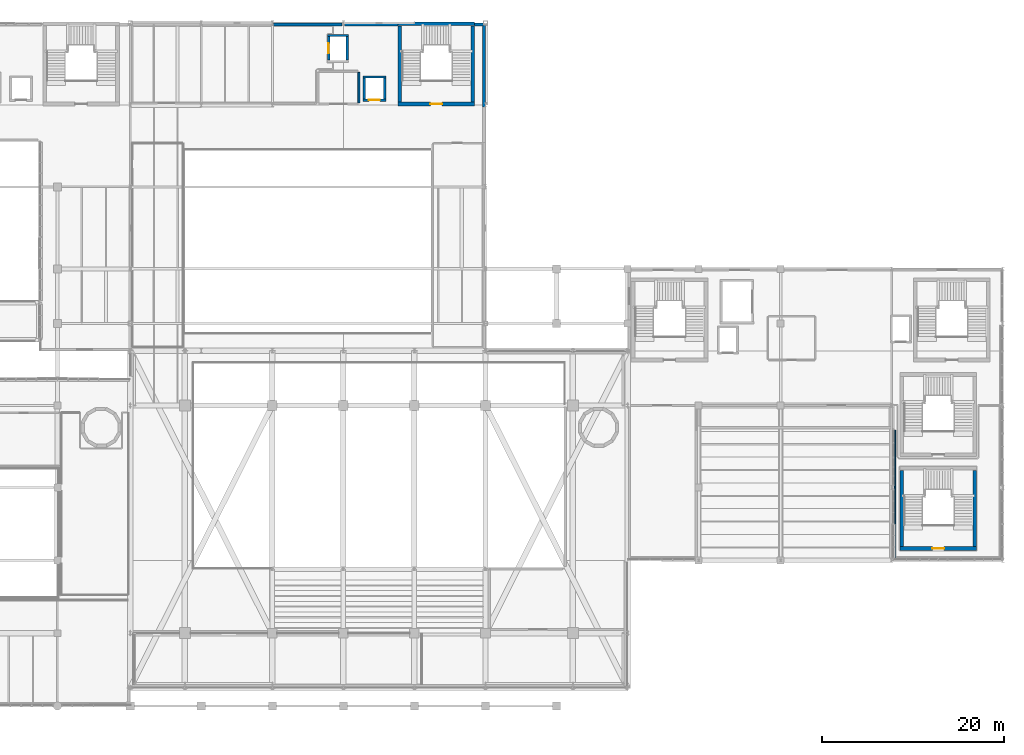
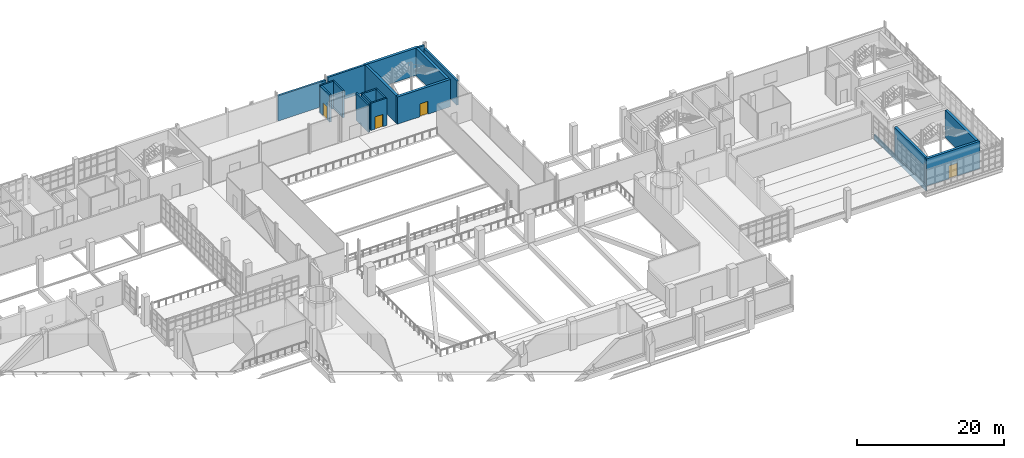
# One storey, part 91 of 100: 20 walls, 4 doors, 4 openings.
"""IFC4 building model written with IfcOpenShell, lengths in metres."""

from ifc_helpers import new_model, si_unit, derived_unit, direction, frame, frame_2d, origin, place, context, subcontext, project, spatial, rectangle, extrude, material, layer, layer_set, type_object, element, fill, save


model = new_model("IFC4")

# Units and contexts
model_context = context("Model", 3, precision=1e-05, world=origin(), true_north=direction((0.0, 1.0)))
body_context = subcontext(model_context, "Body", "Model", "MODEL_VIEW")
ifc_project = project(units=[si_unit("LENGTHUNIT", "METRE"), si_unit("AREAUNIT", "SQUARE_METRE"), si_unit("VOLUMEUNIT", "CUBIC_METRE"), si_unit("PLANEANGLEUNIT", "RADIAN"), si_unit("MASSUNIT", "GRAM", prefix="KILO"), derived_unit("THERMALTRANSMITTANCEUNIT", [(si_unit("POWERUNIT", "WATT"), 1), (si_unit("LENGTHUNIT", "METRE"), -2), (si_unit("THERMODYNAMICTEMPERATUREUNIT", "KELVIN"), -1)])], contexts=[model_context])

# Site, building, storey
site_placement = place(None, origin())
site = spatial("IfcSite", under=ifc_project, at=site_placement, CompositionType="ELEMENT")
building_placement = place(site_placement, origin())
building = spatial("IfcBuilding", under=site, at=building_placement, Name="Nallur Shell Playhouse", CompositionType="ELEMENT")
storey_placement = place(building_placement, frame((0.0, 0.0, 10.199951171875)))
storey = spatial("IfcBuildingStorey", under=building, at=storey_placement, Name="L03", CompositionType="ELEMENT", Elevation=10.199951171875)

# Wall, opening, door
ifc_material_1 = material(Name="Concrete M45", Category="concrete")
ifc_layer_1 = layer(ifc_material_1, 0.39990234375)
ifc_layer_set_1 = layer_set([ifc_layer_1], Name="Concrete M45")
wall_type_1 = type_object("IfcWallType", Name="WL-CORE-400", PredefinedType="SHEAR", material=ifc_layer_set_1)
wall_1_placement = place(storey_placement, frame((93.39990234375, 74.10009765625, 0.0), z_axis=(0.0, 0.0, 1.0), x_axis=(1.0, 0.0, 0.0)))
wall_1 = element("IfcWall", 1, at=wall_1_placement, inside=storey, type_object=wall_type_1, Name="Joint Core JC-4 shear wall S (L03)", PredefinedType="SHEAR", context=body_context, shape_type="SweptSolid", body=[
    extrude(rectangle(XDim=8.400146484375, YDim=0.39990234375, at=frame_2d((4.2001953125, 0.0))), origin(), (0.0, 0.0, 1.0), 4.5400390625),
])
opening_1_placement = place(wall_1_placement, frame((3.550048828125, 0.0, 0.0)))
opening_1 = element("IfcOpeningElement", 2, at=opening_1_placement, cuts=wall_1, Name="Opening FD-ST2", PredefinedType="OPENING", context=body_context, shape_type="SweptSolid", body=[
    extrude(rectangle(XDim=1.300048828125, YDim=2.14990234375, at=frame_2d((0.64990234375, 1.074951171875))), frame((0.0, 0.2099609375, 0.0), z_axis=(0.0, -1.0, 0.0), x_axis=(1.0, 0.0, 0.0)), (0.0, 0.0, 1.0), 0.419921875),
])
ifc_material_2 = material(Name="Galvanised Steel Fire-Rated Stair Door", Category="steel")
door_type_1 = type_object("IfcDoorType", Name="DR-INT-STAIR-R", OperationType="SINGLE_SWING_RIGHT", PredefinedType="DOOR", material=ifc_material_2)
door_1_placement = place(opening_1_placement, origin())
door_1 = element("IfcDoor", 3, at=door_1_placement, inside=storey, type_object=door_type_1, Name="Exit stair ST-04 fire door (L03)", OperationType="SINGLE_SWING_RIGHT", OverallHeight=2.14990234375, OverallWidth=1.300048828125, PredefinedType="DOOR", context=body_context, shape_type="SweptSolid", body=[
    extrude(rectangle(XDim=1.300048828125, YDim=2.14990234375, at=frame_2d((0.64990234375, 1.074951171875))), frame((0.0, 0.02490234375, 0.0), z_axis=(0.0, -1.0, 0.0), x_axis=(1.0, 0.0, 0.0)), (0.0, 0.0, 1.0), 0.050048828125),
])
fill(opening_1, door_1)

# Walls
wall_2_placement = place(storey_placement, frame((101.800048828125, 82.89990234375, 0.0), z_axis=(0.0, 0.0, 1.0), x_axis=(-1.0, 0.0, 0.0)))
element("IfcWall", 4, at=wall_2_placement, inside=storey, type_object=wall_type_1, Name="Joint Core JC-4 shear wall N (L03)", PredefinedType="SHEAR", context=body_context, shape_type="SweptSolid", body=[
    extrude(rectangle(XDim=8.400146484375, YDim=0.39990234375, at=frame_2d((4.2001953125, 0.0))), origin(), (0.0, 0.0, 1.0), 4.5400390625),
])
for number, where, z_axis, x_axis, name in (
    (5, (101.60009765625, 74.31005859375, 0.0), (0.0, 0.0, 1.0), (0.0, 1.0, 0.0), "Joint Core JC-4 shear wall E (L03)"),
    (6, (93.60009765625, 82.68994140625, 0.0), (0.0, 0.0, 1.0), (0.0, -1.0, 0.0), "Joint Core JC-4 shear wall W (L03)"),
):
    element("IfcWall", number, at=place(storey_placement, frame(where, z_axis=z_axis, x_axis=x_axis)), inside=storey, type_object=wall_type_1, Name=name, PredefinedType="SHEAR", context=body_context, shape_type="SweptSolid", body=[
        extrude(rectangle(XDim=8.3798828125, YDim=0.39990234375, at=frame_2d((4.18994140625, 0.0))), origin(), (0.0, 0.0, 1.0), 4.5400390625),
    ])

# Wall, opening, door
wall_3_placement = place(storey_placement, frame((148.5, 25.300048828125, 0.0), z_axis=(0.0, 0.0, 1.0), x_axis=(1.0, 0.0, 0.0)))
wall_3 = element("IfcWall", 7, at=wall_3_placement, inside=storey, type_object=wall_type_1, Name="Joint Core JC-8 shear wall S (L03)", PredefinedType="SHEAR", context=body_context, shape_type="SweptSolid", body=[
    extrude(rectangle(XDim=8.39990234375, YDim=0.39990234375, at=frame_2d((4.199951171875, 0.0))), origin(), (0.0, 0.0, 1.0), 4.5400390625),
])
opening_2_placement = place(wall_3_placement, frame((3.550048828125, 0.0, 0.0)))
opening_2 = element("IfcOpeningElement", 8, at=opening_2_placement, cuts=wall_3, Name="Opening FD-ST1", PredefinedType="OPENING", context=body_context, shape_type="SweptSolid", body=[
    extrude(rectangle(XDim=1.300048828125, YDim=2.14990234375, at=frame_2d((0.64990234375, 1.074951171875))), frame((0.0, 0.2099609375, 0.0), z_axis=(0.0, -1.0, 0.0), x_axis=(1.0, 0.0, 0.0)), (0.0, 0.0, 1.0), 0.419921875),
])
door_type_2 = type_object("IfcDoorType", Name="DR-INT-STAIR-L", OperationType="SINGLE_SWING_LEFT", PredefinedType="DOOR", material=ifc_material_2)
door_2_placement = place(opening_2_placement, origin())
door_2 = element("IfcDoor", 9, at=door_2_placement, inside=storey, type_object=door_type_2, Name="Exit stair ST-08 fire door (L03)", OperationType="SINGLE_SWING_LEFT", OverallHeight=2.14990234375, OverallWidth=1.300048828125, PredefinedType="DOOR", context=body_context, shape_type="SweptSolid", body=[
    extrude(rectangle(XDim=1.300048828125, YDim=2.14990234375, at=frame_2d((0.64990234375, 1.074951171875))), frame((0.0, 0.02490234375, 0.0), z_axis=(0.0, -1.0, 0.0), x_axis=(1.0, 0.0, 0.0)), (0.0, 0.0, 1.0), 0.050048828125),
])
fill(opening_2, door_2)

# Walls
for number, where, z_axis, x_axis, name in (
    (10, (156.699951171875, 25.510009765625, 0.0), (0.0, 0.0, 1.0), (0.0, 1.0, 0.0), "Joint Core JC-8 shear wall E (L03)"),
    (11, (148.699951171875, 33.889892578125, 0.0), (0.0, 0.0, 1.0), (0.0, -1.0, 0.0), "Joint Core JC-8 shear wall W (L03)"),
):
    element("IfcWall", number, at=place(storey_placement, frame(where, z_axis=z_axis, x_axis=x_axis)), inside=storey, type_object=wall_type_1, Name=name, PredefinedType="SHEAR", context=body_context, shape_type="SweptSolid", body=[
        extrude(rectangle(XDim=8.3798828125, YDim=0.39990234375, at=frame_2d((4.18994140625, 0.0))), origin(), (0.0, 0.0, 1.0), 4.5400390625),
    ])
ifc_material_3 = material(Name="Concrete M35", Category="concrete")
ifc_layer_2 = layer(ifc_material_3, 0.300048828125)
ifc_layer_set_2 = layer_set([ifc_layer_2], Name="Concrete M35")
wall_type_2 = type_object("IfcWallType", Name="WL-EXT-RC300", PredefinedType="STANDARD", material=ifc_layer_set_2)
wall_4_placement = place(storey_placement, frame((79.73291015625, 82.830078125, 0.0), z_axis=(0.0, 0.0, 1.0), x_axis=(1.0, 0.0, 0.0)))
element("IfcWall", 12, at=wall_4_placement, inside=storey, type_object=wall_type_2, Name="L03 exterior wall EW-L03-135", PredefinedType="STANDARD", context=body_context, shape_type="SweptSolid", body=[
    extrude(rectangle(XDim=7.5341796875, YDim=0.300048828125, at=frame_2d((3.76708984375, 0.0))), origin(), (0.0, 0.0, 1.0), 4.175048828125),
])
wall_5_placement = place(storey_placement, frame((87.532958984375, 82.830078125, 0.0), z_axis=(0.0, 0.0, 1.0), x_axis=(1.0, 0.0, 0.0)))
element("IfcWall", 13, at=wall_5_placement, inside=storey, type_object=wall_type_2, Name="L03 exterior wall EW-L03-136", PredefinedType="STANDARD", context=body_context, shape_type="SweptSolid", body=[
    extrude(rectangle(XDim=5.863037109375, YDim=0.300048828125, at=frame_2d((2.931640625, 0.0))), origin(), (0.0, 0.0, 1.0), 4.5400390625),
])
wall_6_placement = place(storey_placement, frame((102.830078125, 82.76708984375, 0.0), z_axis=(0.0, 0.0, 1.0), x_axis=(0.0, -1.0, 0.0)))
element("IfcWall", 14, at=wall_6_placement, inside=storey, type_object=wall_type_2, Name="L03 exterior wall EW-L03-138", PredefinedType="STANDARD", context=body_context, shape_type="SweptSolid", body=[
    extrude(rectangle(XDim=9.0, YDim=0.300048828125, at=frame_2d((4.5, 0.0))), origin(), (0.0, 0.0, 1.0), 4.025146484375),
])
ifc_layer_3 = layer(ifc_material_3, 0.320068359375)
ifc_layer_set_3 = layer_set([ifc_layer_3], Name="Concrete M35")
wall_type_3 = type_object("IfcWallType", Name="WL-EXT-RC320", PredefinedType="STANDARD", material=ifc_layer_set_3)
wall_7_placement = place(storey_placement, frame((101.803955078125, 82.820068359375, 0.0), z_axis=(0.0, 0.0, 1.0), x_axis=(1.0, 0.0, 0.0)))
element("IfcWall", 15, at=wall_7_placement, inside=storey, type_object=wall_type_3, Name="L03 exterior wall EW-L03-137", PredefinedType="STANDARD", context=body_context, shape_type="SweptSolid", body=[
    extrude(rectangle(XDim=0.963134765625, YDim=0.320068359375, at=frame_2d((0.4814453125, 0.0))), origin(), (0.0, 0.0, 1.0), 4.5400390625),
])
ifc_layer_4 = layer(ifc_material_3, 0.179931640625)
ifc_layer_set_4 = layer_set([ifc_layer_4], Name="Concrete M35")
wall_type_4 = type_object("IfcWallType", Name="WL-PARAPET-180", PredefinedType="PARAPET", material=ifc_layer_set_4)
wall_8_placement = place(storey_placement, frame((147.93994140625, 24.1201171875, 0.0), z_axis=(0.0, 0.0, 1.0), x_axis=(0.0, 1.0, 0.0)))
element("IfcWall", 16, at=wall_8_placement, inside=storey, type_object=wall_type_4, Name="L03 curtain-wall internal spandrel upstand 039", PredefinedType="PARAPET", context=body_context, shape_type="SweptSolid", body=[
    extrude(rectangle(XDim=14.159912109375, YDim=0.179931640625, at=frame_2d((7.080078125, 0.0))), origin(), (0.0, 0.0, 1.0), 0.880126953125),
])
ifc_material_4 = material(Name="Concrete M30", Category="concrete")
ifc_layer_5 = layer(ifc_material_4, 0.199951171875)
ifc_layer_set_5 = layer_set([ifc_layer_5], Name="Concrete M30")
wall_type_5 = type_object("IfcWallType", Name="WL-PART-AC200", PredefinedType="PARTITIONING", material=ifc_layer_set_5)
wall_9_placement = place(storey_placement, frame((89.10009765625, 77.580078125, 0.0), z_axis=(0.0, 0.0, 1.0), x_axis=(0.0, -1.0, 0.0)))
element("IfcWall", 17, at=wall_9_placement, inside=storey, type_object=wall_type_5, Name="Firefighting Lobby JC-4 partition IW-L03-0203", PredefinedType="PARTITIONING", context=body_context, shape_type="SweptSolid", body=[
    extrude(rectangle(XDim=3.360107421875, YDim=0.199951171875, at=frame_2d((1.68017578125, 0.0))), origin(), (0.0, 0.0, 1.0), 4.530029296875),
])

# Wall, opening, door
ifc_layer_6 = layer(ifc_material_1, 0.25)
ifc_layer_set_6 = layer_set([ifc_layer_6], Name="Concrete M45")
wall_type_6 = type_object("IfcWallType", Name="WL-SHAFT-250", PredefinedType="STANDARD", material=ifc_layer_set_6)
wall_10_placement = place(storey_placement, frame((89.550048828125, 74.52490234375, 0.0), z_axis=(0.0, 0.0, 1.0), x_axis=(1.0, 0.0, 0.0)))
wall_10 = element("IfcWall", 18, at=wall_10_placement, inside=storey, type_object=wall_type_6, Name="Fireman's Lift FL-2 shaft wall south (L03)", PredefinedType="STANDARD", context=body_context, shape_type="SweptSolid", body=[
    extrude(rectangle(XDim=2.5, YDim=0.25, at=frame_2d((1.25, 0.0))), origin(), (0.0, 0.0, 1.0), 4.530029296875),
])
opening_3_placement = place(wall_10_placement, frame((0.64990234375, 0.0, 0.0)))
opening_3 = element("IfcOpeningElement", 19, at=opening_3_placement, cuts=wall_10, Name="Opening LD-F1", PredefinedType="OPENING", context=body_context, shape_type="SweptSolid", body=[
    extrude(rectangle(XDim=1.199951171875, YDim=2.050048828125, at=frame_2d((0.60009765625, 1.02490234375))), frame((0.0, 0.135009765625, 0.0), z_axis=(0.0, -1.0, 0.0), x_axis=(1.0, 0.0, 0.0)), (0.0, 0.0, 1.0), 0.27001953125),
])
ifc_material_5 = material(Name="Fireman Lift Fire-Rated Sliding Landing Door")
door_type_3 = type_object("IfcDoorType", Name="DR-LIFT-FIRE", OperationType="DOUBLE_DOOR_SLIDING", PredefinedType="DOOR", material=ifc_material_5)
door_3_placement = place(opening_3_placement, origin())
door_3 = element("IfcDoor", 20, at=door_3_placement, inside=storey, type_object=door_type_3, Name="Fireman's Lift FL-2 sliding landing door (L03)", OperationType="DOUBLE_DOOR_SLIDING", OverallHeight=2.050048828125, OverallWidth=1.199951171875, PredefinedType="DOOR", context=body_context, shape_type="SweptSolid", body=[
    extrude(rectangle(XDim=1.199951171875, YDim=2.050048828125, at=frame_2d((0.60009765625, 1.02490234375))), frame((0.0, 0.02490234375, 0.0), z_axis=(0.0, -1.0, 0.0), x_axis=(1.0, 0.0, 0.0)), (0.0, 0.0, 1.0), 0.050048828125),
])
fill(opening_3, door_3)

# Walls
wall_11_placement = place(storey_placement, frame((92.050048828125, 77.074951171875, 0.0), z_axis=(0.0, 0.0, 1.0), x_axis=(-1.0, 0.0, 0.0)))
element("IfcWall", 21, at=wall_11_placement, inside=storey, type_object=wall_type_6, Name="Fireman's Lift FL-2 shaft wall north (L03)", PredefinedType="STANDARD", context=body_context, shape_type="SweptSolid", body=[
    extrude(rectangle(XDim=2.5, YDim=0.25, at=frame_2d((1.25, 0.0))), origin(), (0.0, 0.0, 1.0), 4.530029296875),
])
for number, where, z_axis, x_axis, name in (
    (22, (91.925048828125, 74.659912109375, 0.0), (0.0, 0.0, 1.0), (0.0, 1.0, 0.0), "Fireman's Lift FL-2 shaft wall east (L03)"),
    (23, (89.675048828125, 76.93994140625, 0.0), (0.0, 0.0, 1.0), (0.0, -1.0, 0.0), "Fireman's Lift FL-2 shaft wall west (L03)"),
):
    element("IfcWall", number, at=place(storey_placement, frame(where, z_axis=z_axis, x_axis=x_axis)), inside=storey, type_object=wall_type_6, Name=name, PredefinedType="STANDARD", context=body_context, shape_type="SweptSolid", body=[
        extrude(rectangle(XDim=2.280029296875, YDim=0.25, at=frame_2d((1.14013671875, 0.0))), origin(), (0.0, 0.0, 1.0), 4.530029296875),
    ])
wall_12_placement = place(storey_placement, frame((87.949951171875, 81.625, 0.0), z_axis=(0.0, 0.0, 1.0), x_axis=(-1.0, 0.0, 0.0)))
element("IfcWall", 24, at=wall_12_placement, inside=storey, type_object=wall_type_6, Name="Passenger Lift PL-4 shaft wall north (L03)", PredefinedType="STANDARD", context=body_context, shape_type="SweptSolid", body=[
    extrude(rectangle(XDim=2.300048828125, YDim=0.25, at=frame_2d((1.14990234375, 0.0))), origin(), (0.0, 0.0, 1.0), 4.530029296875),
])
wall_13_placement = place(storey_placement, frame((87.824951171875, 78.909912109375, 0.0), z_axis=(0.0, 0.0, 1.0), x_axis=(0.0, 1.0, 0.0)))
element("IfcWall", 25, at=wall_13_placement, inside=storey, type_object=wall_type_6, Name="Passenger Lift PL-4 shaft wall east (L03)", PredefinedType="STANDARD", context=body_context, shape_type="SweptSolid", body=[
    extrude(rectangle(XDim=2.580078125, YDim=0.25, at=frame_2d((1.2900390625, 0.0))), origin(), (0.0, 0.0, 1.0), 4.530029296875),
])

# Wall, opening, door
wall_14_placement = place(storey_placement, frame((85.77490234375, 81.489990234375, 0.0), z_axis=(0.0, 0.0, 1.0), x_axis=(0.0, -1.0, 0.0)))
wall_14 = element("IfcWall", 26, at=wall_14_placement, inside=storey, type_object=wall_type_6, Name="Passenger Lift PL-4 shaft wall west (L03)", PredefinedType="STANDARD", context=body_context, shape_type="SweptSolid", body=[
    extrude(rectangle(XDim=2.580078125, YDim=0.25, at=frame_2d((1.2900390625, 0.0))), origin(), (0.0, 0.0, 1.0), 4.530029296875),
])
opening_4_placement = place(wall_14_placement, frame((0.739990234375, 0.0, 0.0)))
opening_4 = element("IfcOpeningElement", 27, at=opening_4_placement, cuts=wall_14, Name="Opening LD-P1", PredefinedType="OPENING", context=body_context, shape_type="SweptSolid", body=[
    extrude(rectangle(XDim=1.10009765625, YDim=2.14990234375, at=frame_2d((0.550048828125, 1.074951171875))), frame((0.0, 0.135009765625, 0.0), z_axis=(0.0, -1.0, 0.0), x_axis=(1.0, 0.0, 0.0)), (0.0, 0.0, 1.0), 0.27001953125),
])
ifc_material_6 = material(Name="Brushed Stainless Steel Lift Landing Door", Category="steel")
door_type_4 = type_object("IfcDoorType", Name="DR-LIFT-PASS", OperationType="DOUBLE_DOOR_SLIDING", PredefinedType="DOOR", material=ifc_material_6)
door_4_placement = place(opening_4_placement, origin())
door_4 = element("IfcDoor", 28, at=door_4_placement, inside=storey, type_object=door_type_4, Name="Passenger Lift PL-4 sliding landing door (L03)", OperationType="DOUBLE_DOOR_SLIDING", OverallHeight=2.14990234375, OverallWidth=1.10009765625, PredefinedType="DOOR", context=body_context, shape_type="SweptSolid", body=[
    extrude(rectangle(XDim=1.10009765625, YDim=2.14990234375, at=frame_2d((0.550048828125, 1.074951171875))), frame((0.0, 0.02490234375, 0.0), z_axis=(0.0, -1.0, 0.0), x_axis=(1.0, 0.0, 0.0)), (0.0, 0.0, 1.0), 0.050048828125),
])
fill(opening_4, door_4)

save(model, "model.ifc")
